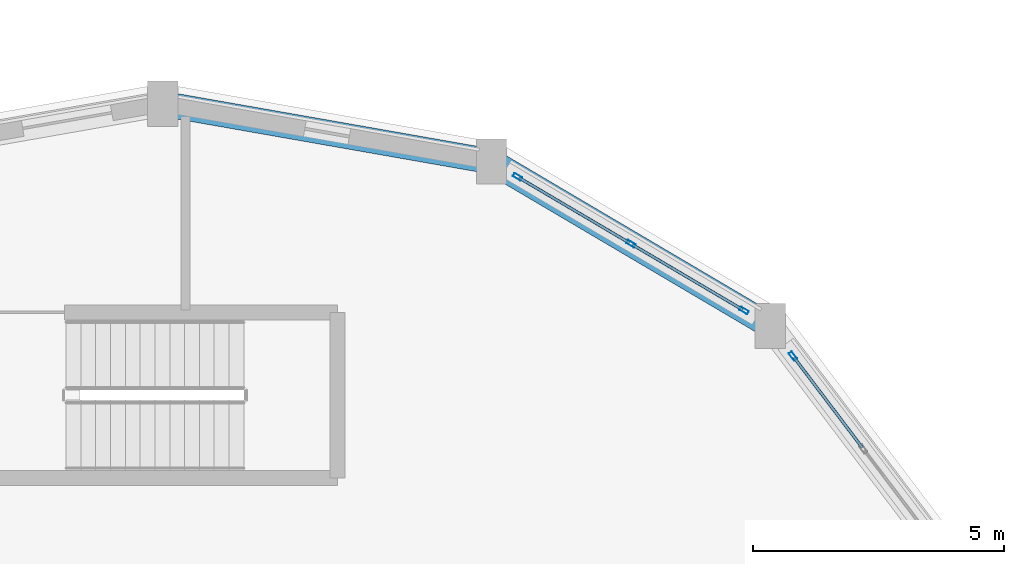
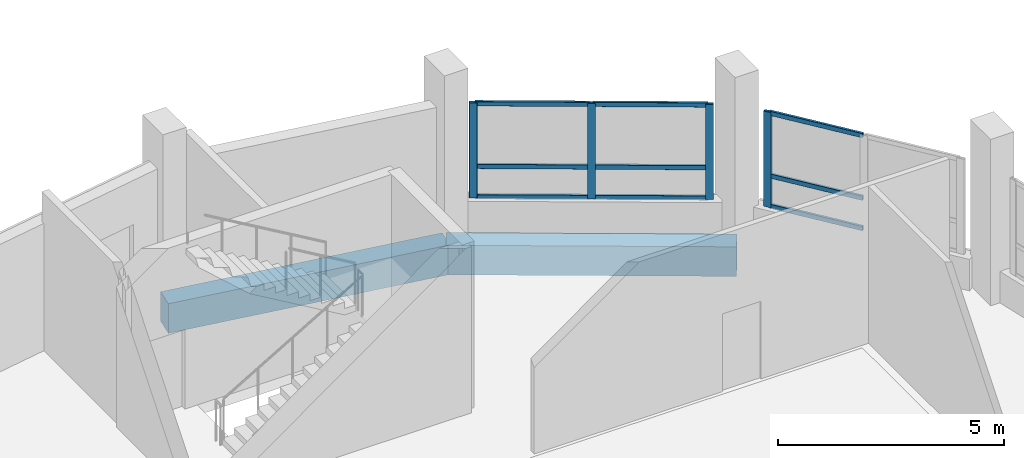
# One storey, part 97 of 129: 13 members, 2 beams, 2 elements without a shape of their own.
"""IFC4 building model written with IfcOpenShell, lengths in metres."""

from ifc_helpers import new_model, si_unit, direction, frame, origin, origin_2d, place, context, subcontext, project, spatial, rectangle, hollow_rectangle, extrude, material, layer, layer_set, material_profile, profile_set, type_object, element, aggregate, save


model = new_model("IFC4")

# Units and contexts
model_context = context("Model", 3, precision=1e-05, world=origin(), true_north=direction((0.0, 1.0)))
body_context = subcontext(model_context, "Body", "Model", "MODEL_VIEW")
ifc_project = project(units=[si_unit("LENGTHUNIT", "METRE"), si_unit("AREAUNIT", "SQUARE_METRE"), si_unit("VOLUMEUNIT", "CUBIC_METRE"), si_unit("PLANEANGLEUNIT", "RADIAN"), si_unit("MASSUNIT", "GRAM", prefix="KILO")], contexts=[model_context])

# Site, building, storey
site_placement = place(None, origin())
site = spatial("IfcSite", under=ifc_project, at=site_placement, CompositionType="ELEMENT")
building_placement = place(site_placement, origin())
building = spatial("IfcBuilding", under=site, at=building_placement, Name="Vespera Passage Community Centre", CompositionType="ELEMENT")
storey_placement = place(building_placement, origin())
storey = spatial("IfcBuildingStorey", under=building, at=storey_placement, Name="L00", CompositionType="ELEMENT", Elevation=0.0)

# Beams
ifc_material_1 = material(Name="Concrete f'c 35 MPa", Category="concrete")
ifc_material_profile_1 = material_profile(ifc_material_1, rectangle(XDim=0.5, YDim=0.800048828125, at=origin_2d()), Name="RC500X800")
ifc_profile_set_1 = profile_set([ifc_material_profile_1], Name="Concrete f'c 35 MPa")
beam_type = type_object("IfcBeamType", Name="BM-SP-500X800E", PredefinedType="SPANDREL", material=ifc_profile_set_1)
beam_1_placement = place(storey_placement, frame((155.091552734375, 100.17724609375, -0.679931640625), z_axis=(-0.861245535965, 0.508189065978, 0.0), x_axis=(-0.508189065978, -0.861245535965, 0.0)))
element("IfcBeam", 1, at=beam_1_placement, inside=storey, type_object=beam_type, Name="V2 L00 Perimeter Spandrel 3", PredefinedType="SPANDREL", context=body_context, shape_type="SweptSolid", body=[
    extrude(rectangle(XDim=0.5, YDim=0.800048828125, at=origin_2d()), origin(), (0.0, 0.0, 1.0), 6.44140625),
])
beam_2_placement = place(storey_placement, frame((149.5439453125, 103.45068359375, -0.679931640625), z_axis=(-0.984922333185, 0.172997102844, 0.0), x_axis=(-0.172997102844, -0.984922333185, 0.0)))
element("IfcBeam", 2, at=beam_2_placement, inside=storey, type_object=beam_type, Name="V2 L00 Perimeter Spandrel 4", PredefinedType="SPANDREL", context=body_context, shape_type="SweptSolid", body=[
    extrude(rectangle(XDim=0.5, YDim=0.800048828125, at=origin_2d()), origin(), (0.0, 0.0, 1.0), 6.64404296875),
])

# Curtain wall, member
ifc_material_2 = material(Name="Anodized aluminium 6063-T6", Category="aluminium")
ifc_layer_1 = layer(ifc_material_2, 0.159912109375)
ifc_layer_set_1 = layer_set([ifc_layer_1], Name="Anodized aluminium 6063-T6")
curtain_wall_type_1 = type_object("IfcCurtainWallType", Name="CW-90E", PredefinedType="NOTDEFINED", material=ifc_layer_set_1)
curtain_wall_1_placement = place(storey_placement, origin())
curtain_wall_1 = element("IfcCurtainWall", 3, at=curtain_wall_1_placement, inside=storey, type_object=curtain_wall_type_1, Name="Sports Drum Ribbon Curtain Wall L00.2", PredefinedType="NOTDEFINED")
ifc_material_3 = material(Name="Anodized aluminium 6063-T6", Category="aluminium")
ifc_material_profile_2 = material_profile(ifc_material_3, hollow_rectangle(XDim=0.074951171875, YDim=0.179931640625, WallThickness=0.0048828125, InnerFilletRadius=0.00244140625, OuterFilletRadius=0.0048828125, at=origin_2d()), Name="ALU180X75X5")
ifc_profile_set_2 = profile_set([ifc_material_profile_2], Name="Anodized aluminium 6063-T6")
member_type_1 = type_object("IfcMemberType", Name="MB-CWM-180E", PredefinedType="MULLION", material=ifc_profile_set_2)
member_1_placement = place(storey_placement, frame((155.5439453125, 99.57958984375, 0.85009765625), z_axis=(0.0, 0.0, 1.0), x_axis=(0.797434495654, 0.603405522961, 0.0)))
member_1 = element("IfcMember", 4, at=member_1_placement, type_object=member_type_1, Name="CW-90E mullion 1", PredefinedType="MULLION", context=body_context, shape_type="SweptSolid", body=[
    extrude(hollow_rectangle(XDim=0.074951171875, YDim=0.179931640625, WallThickness=0.0048828125, InnerFilletRadius=0.00244140625, OuterFilletRadius=0.0048828125, at=origin_2d()), origin(), (0.0, 0.0, 1.0), 2.574951171875),
])

# Curtain wall, members
ifc_material_4 = material(Name="Anodized aluminium 6063-T6", Category="aluminium")
ifc_layer_2 = layer(ifc_material_4, 0.159912109375)
ifc_layer_set_2 = layer_set([ifc_layer_2], Name="Anodized aluminium 6063-T6")
curtain_wall_type_2 = type_object("IfcCurtainWallType", Name="CW-91E", PredefinedType="NOTDEFINED", material=ifc_layer_set_2)
curtain_wall_2_placement = place(storey_placement, origin())
curtain_wall_2 = element("IfcCurtainWall", 5, at=curtain_wall_2_placement, inside=storey, type_object=curtain_wall_type_2, Name="Sports Drum Ribbon Curtain Wall L00.3", PredefinedType="NOTDEFINED")
member_2_placement = place(storey_placement, frame((150.061279296875, 103.145263671875, 0.85009765625), z_axis=(0.0, 0.0, 1.0), x_axis=(0.50817007737, 0.861256740157, 0.0)))
member_2 = element("IfcMember", 6, at=member_2_placement, type_object=member_type_1, Name="CW-91E mullion 1", PredefinedType="MULLION", context=body_context, shape_type="SweptSolid", body=[
    extrude(hollow_rectangle(XDim=0.074951171875, YDim=0.179931640625, WallThickness=0.0048828125, InnerFilletRadius=0.00244140625, OuterFilletRadius=0.0048828125, at=origin_2d()), origin(), (0.0, 0.0, 1.0), 2.574951171875),
])
member_3_placement = place(storey_placement, frame((152.317626953125, 101.81396484375, 0.85009765625), z_axis=(0.0, 0.0, 1.0), x_axis=(0.50817007737, 0.861256740157, 0.0)))
member_3 = element("IfcMember", 7, at=member_3_placement, type_object=member_type_1, Name="CW-91E mullion 2", PredefinedType="MULLION", context=body_context, shape_type="SweptSolid", body=[
    extrude(hollow_rectangle(XDim=0.074951171875, YDim=0.179931640625, WallThickness=0.0048828125, InnerFilletRadius=0.00244140625, OuterFilletRadius=0.0048828125, at=origin_2d()), origin(), (0.0, 0.0, 1.0), 2.574951171875),
])
member_4_placement = place(storey_placement, frame((154.573974609375, 100.482666015625, 0.85009765625), z_axis=(0.0, 0.0, 1.0), x_axis=(0.50817007737, 0.861256740157, 0.0)))
member_4 = element("IfcMember", 8, at=member_4_placement, type_object=member_type_1, Name="CW-91E mullion 3", PredefinedType="MULLION", context=body_context, shape_type="SweptSolid", body=[
    extrude(hollow_rectangle(XDim=0.074951171875, YDim=0.179931640625, WallThickness=0.0048828125, InnerFilletRadius=0.00244140625, OuterFilletRadius=0.0048828125, at=origin_2d()), origin(), (0.0, 0.0, 1.0), 2.574951171875),
])

# Member
ifc_material_5 = material(Name="Anodized aluminium 6063-T6", Category="aluminium")
ifc_material_profile_3 = material_profile(ifc_material_5, hollow_rectangle(XDim=0.06005859375, YDim=0.1201171875, WallThickness=0.00390625, InnerFilletRadius=0.001953125, OuterFilletRadius=0.00390625, at=origin_2d()), Name="ALU120X60X4")
ifc_profile_set_3 = profile_set([ifc_material_profile_3], Name="Anodized aluminium 6063-T6")
member_type_2 = type_object("IfcMemberType", Name="MB-CWT-120E", PredefinedType="USERDEFINED", material=ifc_profile_set_3)
member_5_placement = place(storey_placement, frame((155.56640625, 99.549560546875, 0.8798828125), z_axis=(0.603453873456, -0.797397907328, 0.0), x_axis=(0.797397907328, 0.603453873456, 0.0)))
member_5 = element("IfcMember", 9, at=member_5_placement, type_object=member_type_2, Name="CW-90E transom 1.1", ObjectType="TRANSOM", PredefinedType="USERDEFINED", context=body_context, shape_type="SweptSolid", body=[
    extrude(hollow_rectangle(XDim=0.06005859375, YDim=0.1201171875, WallThickness=0.00390625, InnerFilletRadius=0.001953125, OuterFilletRadius=0.00390625, at=origin_2d()), origin(), (0.0, 0.0, 1.0), 2.2470703125),
])

member_6_placement = place(storey_placement, frame((155.56640625, 99.549560546875, 1.699951171875), z_axis=(0.603453873456, -0.797397907328, 0.0), x_axis=(0.797397907328, 0.603453873456, 0.0)))
member_6 = element("IfcMember", 10, at=member_6_placement, type_object=member_type_2, Name="CW-90E transom 1.2", ObjectType="TRANSOM", PredefinedType="USERDEFINED", context=body_context, shape_type="SweptSolid", body=[
    extrude(hollow_rectangle(XDim=0.06005859375, YDim=0.1201171875, WallThickness=0.00390625, InnerFilletRadius=0.001953125, OuterFilletRadius=0.00390625, at=origin_2d()), origin(), (0.0, 0.0, 1.0), 2.2470703125),
])

member_7_placement = place(storey_placement, frame((155.56640625, 99.549560546875, 3.39501953125), z_axis=(0.603453873456, -0.797397907328, 0.0), x_axis=(0.797397907328, 0.603453873456, 0.0)))
member_7 = element("IfcMember", 11, at=member_7_placement, type_object=member_type_2, Name="CW-90E transom 1.3", ObjectType="TRANSOM", PredefinedType="USERDEFINED", context=body_context, shape_type="SweptSolid", body=[
    extrude(hollow_rectangle(XDim=0.06005859375, YDim=0.1201171875, WallThickness=0.00390625, InnerFilletRadius=0.001953125, OuterFilletRadius=0.00390625, at=origin_2d()), origin(), (0.0, 0.0, 1.0), 2.2470703125),
])

aggregate(curtain_wall_1, [member_1, member_5, member_6, member_7])

member_8_placement = place(storey_placement, frame((150.09375, 103.126220703125, 0.8798828125), z_axis=(0.861245323455, -0.508189426127, 0.0), x_axis=(0.508189426127, 0.861245323455, 0.0)))
member_8 = element("IfcMember", 12, at=member_8_placement, type_object=member_type_2, Name="CW-91E transom 1.1", ObjectType="TRANSOM", PredefinedType="USERDEFINED", context=body_context, shape_type="SweptSolid", body=[
    extrude(hollow_rectangle(XDim=0.06005859375, YDim=0.1201171875, WallThickness=0.00390625, InnerFilletRadius=0.001953125, OuterFilletRadius=0.00390625, at=origin_2d()), origin(), (0.0, 0.0, 1.0), 2.544677734375),
])

member_9_placement = place(storey_placement, frame((150.09375, 103.126220703125, 1.699951171875), z_axis=(0.861245323455, -0.508189426127, 0.0), x_axis=(0.508189426127, 0.861245323455, 0.0)))
member_9 = element("IfcMember", 13, at=member_9_placement, type_object=member_type_2, Name="CW-91E transom 1.2", ObjectType="TRANSOM", PredefinedType="USERDEFINED", context=body_context, shape_type="SweptSolid", body=[
    extrude(hollow_rectangle(XDim=0.06005859375, YDim=0.1201171875, WallThickness=0.00390625, InnerFilletRadius=0.001953125, OuterFilletRadius=0.00390625, at=origin_2d()), origin(), (0.0, 0.0, 1.0), 2.544677734375),
])

member_10_placement = place(storey_placement, frame((150.09375, 103.126220703125, 3.39501953125), z_axis=(0.861245323455, -0.508189426127, 0.0), x_axis=(0.508189426127, 0.861245323455, 0.0)))
member_10 = element("IfcMember", 14, at=member_10_placement, type_object=member_type_2, Name="CW-91E transom 1.3", ObjectType="TRANSOM", PredefinedType="USERDEFINED", context=body_context, shape_type="SweptSolid", body=[
    extrude(hollow_rectangle(XDim=0.06005859375, YDim=0.1201171875, WallThickness=0.00390625, InnerFilletRadius=0.001953125, OuterFilletRadius=0.00390625, at=origin_2d()), origin(), (0.0, 0.0, 1.0), 2.544677734375),
])

member_11_placement = place(storey_placement, frame((152.35009765625, 101.794921875, 0.8798828125), z_axis=(0.861245323455, -0.508189426127, 0.0), x_axis=(0.508189426127, 0.861245323455, 0.0)))
member_11 = element("IfcMember", 15, at=member_11_placement, type_object=member_type_2, Name="CW-91E transom 2.1", ObjectType="TRANSOM", PredefinedType="USERDEFINED", context=body_context, shape_type="SweptSolid", body=[
    extrude(hollow_rectangle(XDim=0.06005859375, YDim=0.1201171875, WallThickness=0.00390625, InnerFilletRadius=0.001953125, OuterFilletRadius=0.00390625, at=origin_2d()), origin(), (0.0, 0.0, 1.0), 2.544677734375),
])

member_12_placement = place(storey_placement, frame((152.35009765625, 101.794921875, 1.699951171875), z_axis=(0.861245323455, -0.508189426127, 0.0), x_axis=(0.508189426127, 0.861245323455, 0.0)))
member_12 = element("IfcMember", 16, at=member_12_placement, type_object=member_type_2, Name="CW-91E transom 2.2", ObjectType="TRANSOM", PredefinedType="USERDEFINED", context=body_context, shape_type="SweptSolid", body=[
    extrude(hollow_rectangle(XDim=0.06005859375, YDim=0.1201171875, WallThickness=0.00390625, InnerFilletRadius=0.001953125, OuterFilletRadius=0.00390625, at=origin_2d()), origin(), (0.0, 0.0, 1.0), 2.544677734375),
])

member_13_placement = place(storey_placement, frame((152.35009765625, 101.794921875, 3.39501953125), z_axis=(0.861245323455, -0.508189426127, 0.0), x_axis=(0.508189426127, 0.861245323455, 0.0)))
member_13 = element("IfcMember", 17, at=member_13_placement, type_object=member_type_2, Name="CW-91E transom 2.3", ObjectType="TRANSOM", PredefinedType="USERDEFINED", context=body_context, shape_type="SweptSolid", body=[
    extrude(hollow_rectangle(XDim=0.06005859375, YDim=0.1201171875, WallThickness=0.00390625, InnerFilletRadius=0.001953125, OuterFilletRadius=0.00390625, at=origin_2d()), origin(), (0.0, 0.0, 1.0), 2.544677734375),
])

aggregate(curtain_wall_2, [member_2, member_3, member_4, member_8, member_9, member_10, member_11, member_12, member_13])

save(model, "model.ifc")
